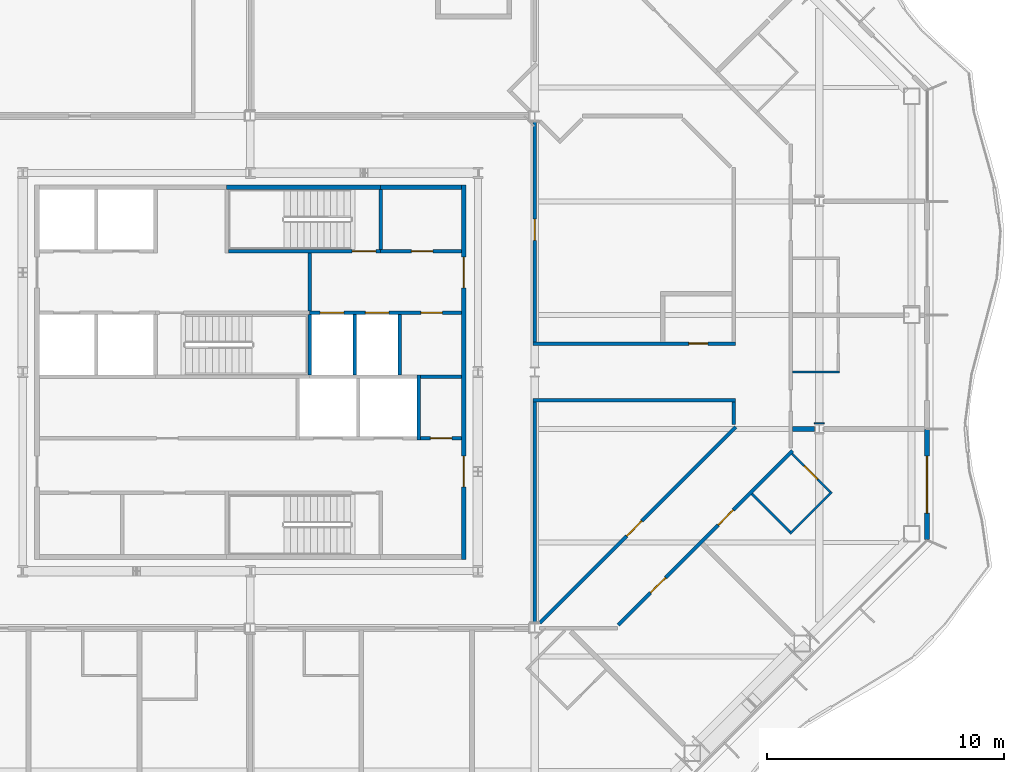
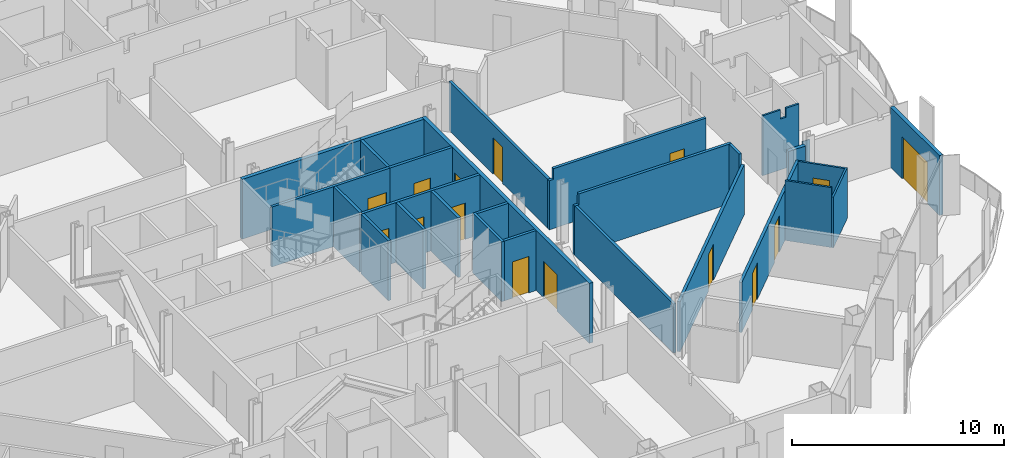
# One storey, part 10 of 21: 28 walls, 15 doors, 15 openings.
"""IFC4 building model written with IfcOpenShell, lengths in metres."""

from ifc_helpers import new_model, si_unit, direction, frame, frame_2d, origin, place, context, subcontext, project, spatial, polyline, rectangle, outline, extrude, material, layer, layer_set, type_object, element, fill, save


model = new_model("IFC4")

# Units and contexts
model_context = context("Model", 3, precision=1e-05, world=origin(), true_north=direction((0.0, 1.0)))
body_context = subcontext(model_context, "Body", "Model", "MODEL_VIEW")
ifc_project = project(units=[si_unit("LENGTHUNIT", "METRE"), si_unit("AREAUNIT", "SQUARE_METRE"), si_unit("VOLUMEUNIT", "CUBIC_METRE"), si_unit("PLANEANGLEUNIT", "RADIAN"), si_unit("MASSUNIT", "GRAM", prefix="KILO")], contexts=[model_context])

# Site, building, storey
site_placement = place(None, origin())
site = spatial("IfcSite", under=ifc_project, at=site_placement, CompositionType="ELEMENT")
building_placement = place(site_placement, origin())
building = spatial("IfcBuilding", under=site, at=building_placement, Name="Cairn Pilgrim Tower", CompositionType="ELEMENT")
storey_placement = place(building_placement, frame((0.0, 0.0, 143.39990234375)))
storey = spatial("IfcBuildingStorey", under=building, at=storey_placement, Name="L35", CompositionType="ELEMENT", Elevation=143.39990234375)

# Wall, opening, door
ifc_material_1 = material(Name="Bronze anodised aluminium insulated sandwich panel with mineral wool fill", Category="aluminium")
ifc_layer_1 = layer(ifc_material_1, 0.199951171875)
ifc_layer_set_1 = layer_set([ifc_layer_1], Name="BRONZE INFILL FRAME WALL 200")
wall_type_1 = type_object("IfcWallType", Name="BRONZE INFILL FRAME WALL 200", PredefinedType="NOTDEFINED", material=ifc_layer_set_1)
wall_1_placement = place(storey_placement, frame((35.75, -4.656494140625, 0.0), z_axis=(0.0, 0.0, 1.0), x_axis=(0.0, 1.0, 0.0)))
wall_1 = element("IfcWall", 1, at=wall_1_placement, inside=storey, type_object=wall_type_1, Name="Bronze infill frame wall IW-E1", PredefinedType="NOTDEFINED", context=body_context, shape_type="SweptSolid", body=[
    extrude(rectangle(XDim=4.62646484375, YDim=0.199951171875, at=frame_2d((2.313232421875, 0.0))), origin(), (0.0, 0.0, 1.0), 3.4501953125),
])
opening_1_placement = place(wall_1_placement, frame((1.1083984375, 0.0, 0.0)))
opening_1 = element("IfcOpeningElement", 2, at=opening_1_placement, cuts=wall_1, Name="Opening 3505B", PredefinedType="OPENING", context=body_context, shape_type="SweptSolid", body=[
    extrude(rectangle(XDim=2.39990234375, YDim=2.39990234375, at=frame_2d((1.199951171875, 1.199951171875))), frame((0.0, 0.10986328125, 0.0), z_axis=(0.0, -1.0, 0.0), x_axis=(1.0, 0.0, 0.0)), (0.0, 0.0, 1.0), 0.219970703125),
])
ifc_material_2 = material(Name="Bronze anodised aluminium frame with tinted low-E glass", Category="aluminium")
door_type_1 = type_object("IfcDoorType", Name="BALCONY SLIDING DOOR 2400x2400", OperationType="DOUBLE_DOOR_SLIDING", PredefinedType="DOOR", material=ifc_material_2)
door_1_placement = place(opening_1_placement, origin())
door_1 = element("IfcDoor", 3, at=door_1_placement, inside=storey, type_object=door_type_1, Name="Balcony sliding door 3505B", OperationType="SINGLE_SWING_LEFT", OverallHeight=2.39990234375, OverallWidth=2.39990234375, PredefinedType="DOOR", context=body_context, shape_type="SweptSolid", body=[
    extrude(rectangle(XDim=2.39990234375, YDim=2.39990234375, at=frame_2d((1.199951171875, 1.199951171875))), frame((0.0, 0.02490234375, 0.0), z_axis=(0.0, -1.0, 0.0), x_axis=(1.0, 0.0, 0.0)), (0.0, 0.0, 1.0), 0.050048828125),
])
fill(opening_1, door_1)

# Wall
ifc_material_3 = material(Name="Concrete C32/40", Category="concrete")
ifc_layer_2 = layer(ifc_material_3, 0.199951171875)
ifc_layer_set_2 = layer_set([ifc_layer_2], Name="CORE OUTER WALL 200 EI 120")
wall_type_2 = type_object("IfcWallType", Name="CORE OUTER WALL 200 EI 120", PredefinedType="SOLIDWALL", material=ifc_layer_set_2)
wall_2_placement = place(storey_placement, frame((12.699951171875, 10.199951171875, 0.0), z_axis=(0.0, 0.0, 1.0), x_axis=(1.0, 0.0, 0.0)))
element("IfcWall", 4, at=wall_2_placement, inside=storey, type_object=wall_type_2, Name="CW:L35:H12-3", PredefinedType="SOLIDWALL", context=body_context, shape_type="SweptSolid", body=[
    extrude(rectangle(XDim=3.400146484375, YDim=0.199951171875, at=frame_2d((1.7001953125, 0.0))), origin(), (0.0, 0.0, 1.0), 3.4501953125),
])

# Wall, openings, doors
wall_3_placement = place(storey_placement, frame((16.199951171875, -5.5, 0.0), z_axis=(0.0, 0.0, 1.0), x_axis=(0.0, 1.0, 0.0)))
wall_3 = element("IfcWall", 5, at=wall_3_placement, inside=storey, type_object=wall_type_2, Name="CW:L35:V30", PredefinedType="SOLIDWALL", context=body_context, shape_type="SweptSolid", body=[
    extrude(rectangle(XDim=15.800048828125, YDim=0.199951171875, at=frame_2d((7.89990234375, 0.0))), origin(), (0.0, 0.0, 1.0), 3.4501953125),
])
opening_2_placement = place(wall_3_placement, frame((3.050048828125, 0.0, 0.0)))
opening_2 = element("IfcOpeningElement", 6, at=opening_2_placement, cuts=wall_3, Name="Opening CD-E1", PredefinedType="OPENING", context=body_context, shape_type="SweptSolid", body=[
    extrude(rectangle(XDim=1.300048828125, YDim=2.10009765625, at=frame_2d((0.64990234375, 1.050048828125))), frame((0.0, 0.10986328125, 0.0), z_axis=(0.0, -1.0, 0.0), x_axis=(1.0, 0.0, 0.0)), (0.0, 0.0, 1.0), 0.219970703125),
])
opening_3_placement = place(wall_3_placement, frame((11.449951171875, 0.0, 0.0)))
opening_3 = element("IfcOpeningElement", 7, at=opening_3_placement, cuts=wall_3, Name="Opening CD-E2", PredefinedType="OPENING", context=body_context, shape_type="SweptSolid", body=[
    extrude(rectangle(XDim=1.300048828125, YDim=2.10009765625, at=frame_2d((0.64990234375, 1.050048828125))), frame((0.0, 0.10986328125, 0.0), z_axis=(0.0, -1.0, 0.0), x_axis=(1.0, 0.0, 0.0)), (0.0, 0.0, 1.0), 0.219970703125),
])
ifc_material_4 = material(Name="Painted steel", Category="steel")
door_type_2 = type_object("IfcDoorType", Name="CORE LOBBY DOOR 1300x2100", OperationType="DOUBLE_DOOR_SINGLE_SWING", PredefinedType="DOOR", material=ifc_material_4)
door_2_placement = place(opening_2_placement, origin())
door_2 = element("IfcDoor", 8, at=door_2_placement, inside=storey, type_object=door_type_2, Name="CD-E1", OperationType="DOUBLE_DOOR_SINGLE_SWING", OverallHeight=2.10009765625, OverallWidth=1.300048828125, PredefinedType="DOOR", context=body_context, shape_type="SweptSolid", body=[
    extrude(rectangle(XDim=1.300048828125, YDim=2.10009765625, at=frame_2d((0.64990234375, 1.050048828125))), frame((0.0, 0.02490234375, 0.0), z_axis=(0.0, -1.0, 0.0), x_axis=(1.0, 0.0, 0.0)), (0.0, 0.0, 1.0), 0.050048828125),
])
fill(opening_2, door_2)
door_3_placement = place(opening_3_placement, origin())
door_3 = element("IfcDoor", 9, at=door_3_placement, inside=storey, type_object=door_type_2, Name="CD-E2", OperationType="DOUBLE_DOOR_SINGLE_SWING", OverallHeight=2.10009765625, OverallWidth=1.300048828125, PredefinedType="DOOR", context=body_context, shape_type="SweptSolid", body=[
    extrude(rectangle(XDim=1.300048828125, YDim=2.10009765625, at=frame_2d((0.64990234375, 1.050048828125))), frame((0.0, 0.02490234375, 0.0), z_axis=(0.0, -1.0, 0.0), x_axis=(1.0, 0.0, 0.0)), (0.0, 0.0, 1.0), 0.050048828125),
])
fill(opening_3, door_3)

# Wall, opening, door
ifc_layer_3 = layer(ifc_material_3, 0.14990234375)
ifc_layer_set_3 = layer_set([ifc_layer_3], Name="CORE PARTITION 150 EI 60")
wall_type_3 = type_object("IfcWallType", Name="CORE PARTITION 150 EI 60", PredefinedType="PARTITIONING", material=ifc_layer_set_3)
wall_4_placement = place(storey_placement, frame((14.375, -0.39990234375, 0.0), z_axis=(0.0, 0.0, 1.0), x_axis=(1.0, 0.0, 0.0)))
wall_4 = element("IfcWall", 10, at=wall_4_placement, inside=storey, type_object=wall_type_3, Name="CW:L35:H06", PredefinedType="PARTITIONING", context=body_context, shape_type="SweptSolid", body=[
    extrude(rectangle(XDim=1.72509765625, YDim=0.14990234375, at=frame_2d((0.862548828125, 0.0))), origin(), (0.0, 0.0, 1.0), 3.4501953125),
])
opening_4_placement = place(wall_4_placement, frame((0.425048828125, 0.0, 0.0)))
opening_4 = element("IfcOpeningElement", 11, at=opening_4_placement, cuts=wall_4, Name="Opening RD-R2E", PredefinedType="OPENING", context=body_context, shape_type="SweptSolid", body=[
    extrude(rectangle(XDim=0.89990234375, YDim=2.10009765625, at=frame_2d((0.449951171875, 1.050048828125))), frame((0.0, 0.0849609375, 0.0), z_axis=(0.0, -1.0, 0.0), x_axis=(1.0, 0.0, 0.0)), (0.0, 0.0, 1.0), 0.169921875),
])
door_type_3 = type_object("IfcDoorType", Name="SERVICE ROOM DOOR 900x2100", OperationType="SINGLE_SWING_LEFT", PredefinedType="DOOR", material=ifc_material_4)
door_4_placement = place(opening_4_placement, origin())
door_4 = element("IfcDoor", 12, at=door_4_placement, inside=storey, type_object=door_type_3, Name="RD-R2E", OperationType="SINGLE_SWING_LEFT", OverallHeight=2.10009765625, OverallWidth=0.89990234375, PredefinedType="DOOR", context=body_context, shape_type="SweptSolid", body=[
    extrude(rectangle(XDim=0.89990234375, YDim=2.10009765625, at=frame_2d((0.449951171875, 1.050048828125))), frame((0.0, 0.02490234375, 0.0), z_axis=(0.0, -1.0, 0.0), x_axis=(1.0, 0.0, 0.0)), (0.0, 0.0, 1.0), 0.050048828125),
])
fill(opening_4, door_4)

# Wall
wall_5_placement = place(storey_placement, frame((14.375, 2.199951171875, 0.0), z_axis=(0.0, 0.0, 1.0), x_axis=(1.0, 0.0, 0.0)))
element("IfcWall", 13, at=wall_5_placement, inside=storey, type_object=wall_type_3, Name="CW:L35:H08", PredefinedType="PARTITIONING", context=body_context, shape_type="SweptSolid", body=[
    extrude(rectangle(XDim=1.72509765625, YDim=0.14990234375, at=frame_2d((0.862548828125, 0.0))), origin(), (0.0, 0.0, 1.0), 3.4501953125),
])

# Wall, openings, doors
ifc_layer_4 = layer(ifc_material_3, 0.14990234375)
ifc_layer_set_4 = layer_set([ifc_layer_4], Name="CORE SHAFT WALL 150 EI 120")
wall_type_4 = type_object("IfcWallType", Name="CORE SHAFT WALL 150 EI 120", PredefinedType="SOLIDWALL", material=ifc_layer_set_4)
wall_6_placement = place(storey_placement, frame((9.699951171875, 4.89990234375, 0.0), z_axis=(0.0, 0.0, 1.0), x_axis=(1.0, 0.0, 0.0)))
wall_6 = element("IfcWall", 14, at=wall_6_placement, inside=storey, type_object=wall_type_4, Name="CW:L35:H09-3", PredefinedType="SOLIDWALL", context=body_context, shape_type="SweptSolid", body=[
    extrude(rectangle(XDim=6.400146484375, YDim=0.14990234375, at=frame_2d((3.2001953125, 0.0))), origin(), (0.0, 0.0, 1.0), 3.4501953125),
])
opening_5_placement = place(wall_6_placement, frame((0.449951171875, 0.0, 0.0)))
opening_5 = element("IfcOpeningElement", 15, at=opening_5_placement, cuts=wall_6, Name="Opening LD-FF1", PredefinedType="OPENING", context=body_context, shape_type="SweptSolid", body=[
    extrude(rectangle(XDim=1.0, YDim=2.10009765625, at=frame_2d((0.5, 1.050048828125))), frame((0.0, 0.0849609375, 0.0), z_axis=(0.0, -1.0, 0.0), x_axis=(1.0, 0.0, 0.0)), (0.0, 0.0, 1.0), 0.169921875),
])
opening_6_placement = place(wall_6_placement, frame((2.35009765625, 0.0, 0.0)))
opening_6 = element("IfcOpeningElement", 16, at=opening_6_placement, cuts=wall_6, Name="Opening LD-FF2", PredefinedType="OPENING", context=body_context, shape_type="SweptSolid", body=[
    extrude(rectangle(XDim=1.0, YDim=2.10009765625, at=frame_2d((0.5, 1.050048828125))), frame((0.0, 0.0849609375, 0.0), z_axis=(0.0, -1.0, 0.0), x_axis=(1.0, 0.0, 0.0)), (0.0, 0.0, 1.0), 0.169921875),
])
opening_7_placement = place(wall_6_placement, frame((4.699951171875, 0.0, 0.0)))
opening_7 = element("IfcOpeningElement", 17, at=opening_7_placement, cuts=wall_6, Name="Opening RD-R3E", PredefinedType="OPENING", context=body_context, shape_type="SweptSolid", body=[
    extrude(rectangle(XDim=0.89990234375, YDim=2.10009765625, at=frame_2d((0.449951171875, 1.050048828125))), frame((0.0, 0.0849609375, 0.0), z_axis=(0.0, -1.0, 0.0), x_axis=(1.0, 0.0, 0.0)), (0.0, 0.0, 1.0), 0.169921875),
])
ifc_material_5 = material(Name="Stainless steel", Category="steel")
door_type_4 = type_object("IfcDoorType", Name="LIFT LANDING DOOR FIRE 1000x2100", OperationType="DOUBLE_DOOR_SLIDING", PredefinedType="DOOR", material=ifc_material_5)
door_5_placement = place(opening_5_placement, origin())
door_5 = element("IfcDoor", 18, at=door_5_placement, inside=storey, type_object=door_type_4, Name="LANDING DOOR FF1", OperationType="DOUBLE_DOOR_SLIDING", OverallHeight=2.10009765625, OverallWidth=1.0, PredefinedType="DOOR", context=body_context, shape_type="SweptSolid", body=[
    extrude(rectangle(XDim=1.0, YDim=2.10009765625, at=frame_2d((0.5, 1.050048828125))), frame((0.0, 0.02490234375, 0.0), z_axis=(0.0, -1.0, 0.0), x_axis=(1.0, 0.0, 0.0)), (0.0, 0.0, 1.0), 0.050048828125),
])
fill(opening_5, door_5)
door_6_placement = place(opening_6_placement, origin())
door_6 = element("IfcDoor", 19, at=door_6_placement, inside=storey, type_object=door_type_4, Name="LANDING DOOR FF2", OperationType="DOUBLE_DOOR_SLIDING", OverallHeight=2.10009765625, OverallWidth=1.0, PredefinedType="DOOR", context=body_context, shape_type="SweptSolid", body=[
    extrude(rectangle(XDim=1.0, YDim=2.10009765625, at=frame_2d((0.5, 1.050048828125))), frame((0.0, 0.02490234375, 0.0), z_axis=(0.0, -1.0, 0.0), x_axis=(1.0, 0.0, 0.0)), (0.0, 0.0, 1.0), 0.050048828125),
])
fill(opening_6, door_6)
door_7_placement = place(opening_7_placement, origin())
door_7 = element("IfcDoor", 20, at=door_7_placement, inside=storey, type_object=door_type_3, Name="RD-R3E", OperationType="SINGLE_SWING_RIGHT", OverallHeight=2.10009765625, OverallWidth=0.89990234375, PredefinedType="DOOR", context=body_context, shape_type="SweptSolid", body=[
    extrude(rectangle(XDim=0.89990234375, YDim=2.10009765625, at=frame_2d((0.449951171875, 1.050048828125))), frame((0.0, 0.02490234375, 0.0), z_axis=(0.0, -1.0, 0.0), x_axis=(1.0, 0.0, 0.0)), (0.0, 0.0, 1.0), 0.050048828125),
])
fill(opening_7, door_7)

# Wall, opening, door
wall_7_placement = place(storey_placement, frame((12.699951171875, 7.5, 0.0), z_axis=(0.0, 0.0, 1.0), x_axis=(1.0, 0.0, 0.0)))
wall_7 = element("IfcWall", 21, at=wall_7_placement, inside=storey, type_object=wall_type_4, Name="CW:L35:H11-2", PredefinedType="SOLIDWALL", context=body_context, shape_type="SweptSolid", body=[
    extrude(rectangle(XDim=3.400146484375, YDim=0.14990234375, at=frame_2d((1.7001953125, 0.0))), origin(), (0.0, 0.0, 1.0), 3.4501953125),
])
opening_8_placement = place(wall_7_placement, frame((1.300048828125, 0.0, 0.0)))
opening_8 = element("IfcOpeningElement", 22, at=opening_8_placement, cuts=wall_7, Name="Opening RD-R4E", PredefinedType="OPENING", context=body_context, shape_type="SweptSolid", body=[
    extrude(rectangle(XDim=0.89990234375, YDim=2.10009765625, at=frame_2d((0.449951171875, 1.050048828125))), frame((0.0, 0.0849609375, 0.0), z_axis=(0.0, -1.0, 0.0), x_axis=(1.0, 0.0, 0.0)), (0.0, 0.0, 1.0), 0.169921875),
])
door_8_placement = place(opening_8_placement, origin())
door_8 = element("IfcDoor", 23, at=door_8_placement, inside=storey, type_object=door_type_3, Name="RD-R4E", OperationType="SINGLE_SWING_LEFT", OverallHeight=2.10009765625, OverallWidth=0.89990234375, PredefinedType="DOOR", context=body_context, shape_type="SweptSolid", body=[
    extrude(rectangle(XDim=0.89990234375, YDim=2.10009765625, at=frame_2d((0.449951171875, 1.050048828125))), frame((0.0, 0.02490234375, 0.0), z_axis=(0.0, -1.0, 0.0), x_axis=(1.0, 0.0, 0.0)), (0.0, 0.0, 1.0), 0.050048828125),
])
fill(opening_8, door_8)

# Walls
wall_8_placement = place(storey_placement, frame((9.699951171875, 4.97509765625, 0.0), z_axis=(0.0, 0.0, 1.0), x_axis=(0.0, 1.0, 0.0)))
element("IfcWall", 24, at=wall_8_placement, inside=storey, type_object=wall_type_4, Name="CW:L35:V23", PredefinedType="SOLIDWALL", context=body_context, shape_type="SweptSolid", body=[
    extrude(rectangle(XDim=2.449951171875, YDim=0.14990234375, at=frame_2d((1.22509765625, 0.0))), origin(), (0.0, 0.0, 1.0), 3.4501953125),
])
for number, where, z_axis, x_axis, name in (
    (25, (11.60009765625, 2.27490234375, 0.0), (0.0, 0.0, 1.0), (0.0, 1.0, 0.0), "CW:L35:V24"),
    (26, (13.5, 2.27490234375, 0.0), (0.0, 0.0, 1.0), (0.0, 1.0, 0.0), "CW:L35:V28"),
):
    element("IfcWall", number, at=place(storey_placement, frame(where, z_axis=z_axis, x_axis=x_axis)), inside=storey, type_object=wall_type_4, Name=name, PredefinedType="SOLIDWALL", context=body_context, shape_type="SweptSolid", body=[
        extrude(rectangle(XDim=2.550048828125, YDim=0.14990234375, at=frame_2d((1.27490234375, 0.0))), origin(), (0.0, 0.0, 1.0), 3.4501953125),
    ])
wall_9_placement = place(storey_placement, frame((14.300048828125, -0.47509765625, 0.0), z_axis=(0.0, 0.0, 1.0), x_axis=(0.0, 1.0, 0.0)))
element("IfcWall", 27, at=wall_9_placement, inside=storey, type_object=wall_type_4, Name="CW:L35:V29", PredefinedType="SOLIDWALL", context=body_context, shape_type="SweptSolid", body=[
    extrude(rectangle(XDim=2.75, YDim=0.14990234375, at=frame_2d((1.375, 0.0))), origin(), (0.0, 0.0, 1.0), 3.4501953125),
])
ifc_material_6 = material(Name="Gypsum partition")
ifc_layer_5 = layer(ifc_material_6, 0.10009765625)
ifc_layer_set_5 = layer_set([ifc_layer_5], Name="PARTITION 100 DRYWALL")
wall_type_5 = type_object("IfcWallType", Name="PARTITION 100 DRYWALL", PredefinedType="PARTITIONING", material=ifc_layer_set_5)
wall_10_placement = place(storey_placement, frame((29.964599609375, -4.3525390625, 0.0), z_axis=(0.0, 0.0, 1.0), x_axis=(-0.707106781187, 0.707106781187, 0.0)))
element("IfcWall", 28, at=wall_10_placement, inside=storey, type_object=wall_type_5, Name="PARTITION W037", PredefinedType="PARTITIONING", context=body_context, shape_type="SweptSolid", body=[
    extrude(rectangle(XDim=2.27490234375, YDim=0.10009765625, at=frame_2d((1.137451171875, 0.0))), origin(), (0.0, 0.0, 1.0), 3.4501953125),
])
wall_11_placement = place(storey_placement, frame((29.964599609375, -4.42333984375, 0.0), z_axis=(0.0, 0.0, 1.0), x_axis=(0.707155609469, 0.707057949532, 0.0)))
element("IfcWall", 29, at=wall_11_placement, inside=storey, type_object=wall_type_5, Name="PARTITION W038", PredefinedType="PARTITIONING", context=body_context, shape_type="SweptSolid", body=[
    extrude(rectangle(XDim=2.5, YDim=0.10009765625, at=frame_2d((1.25, 0.0))), origin(), (0.0, 0.0, 1.0), 2.93017578125),
])

# Wall, opening, door
wall_12_placement = place(storey_placement, frame((31.66162109375, -2.655517578125, 0.0), z_axis=(0.0, 0.0, 1.0), x_axis=(-0.707160441348, 0.707053116953, 0.0)))
wall_12 = element("IfcWall", 30, at=wall_12_placement, inside=storey, type_object=wall_type_5, Name="PARTITION W040", PredefinedType="PARTITIONING", context=body_context, shape_type="SweptSolid", body=[
    extrude(rectangle(XDim=2.27490234375, YDim=0.10009765625, at=frame_2d((1.137451171875, 0.0))), origin(), (0.0, 0.0, 1.0), 2.93017578125),
])
opening_9_placement = place(wall_12_placement, frame((0.75, 0.0, 0.0)))
opening_9 = element("IfcOpeningElement", 31, at=opening_9_placement, cuts=wall_12, Name="Opening 3505A", PredefinedType="OPENING", context=body_context, shape_type="SweptSolid", body=[
    extrude(rectangle(XDim=0.800048828125, YDim=2.10009765625, at=frame_2d((0.39990234375, 1.050048828125))), frame((0.0, 0.06005859375, 0.0), z_axis=(0.0, -1.0, 0.0), x_axis=(1.0, 0.0, 0.0)), (0.0, 0.0, 1.0), 0.1201171875),
])
ifc_material_7 = material(Name="Timber door leaf", Category="wood")
door_type_5 = type_object("IfcDoorType", Name="WC DOOR 800x2100", OperationType="NOTDEFINED", PredefinedType="DOOR", material=ifc_material_7)
door_9_placement = place(opening_9_placement, frame((0.800048828125, 0.0, 0.0), z_axis=(0.0, 0.0, 1.0), x_axis=(-1.0, 0.0, 0.0)))
door_9 = element("IfcDoor", 32, at=door_9_placement, inside=storey, type_object=door_type_5, Name="DOOR 3505A", OperationType="SINGLE_SWING_LEFT", OverallHeight=2.10009765625, OverallWidth=0.800048828125, PredefinedType="DOOR", context=body_context, shape_type="SweptSolid", body=[
    extrude(rectangle(XDim=0.800048828125, YDim=2.10009765625, at=frame_2d((0.39990234375, 1.050048828125))), frame((0.0, 0.02490234375, 0.0), z_axis=(0.0, -1.0, 0.0), x_axis=(1.0, 0.0, 0.0)), (0.0, 0.0, 1.0), 0.050048828125),
])
fill(opening_9, door_9)

# Wall
wall_13_placement = place(storey_placement, frame((30.074951171875, 2.39990234375, 0.0), z_axis=(0.0, 0.0, 1.0), x_axis=(1.0, 0.0, 0.0)))
element("IfcWall", 33, at=wall_13_placement, inside=storey, type_object=wall_type_5, Name="PARTITION W049", PredefinedType="PARTITIONING", context=body_context, shape_type="SweptSolid", body=[
    extrude(outline(polyline([(0.0, 0.0), (1.97509765625, 0.0), (1.97509765625, 3.4501953125), (1.27490234375, 3.4501953125), (1.27294921875, 2.93017578125), (0.97509765625, 2.93017578125), (0.972900390625, 3.4501953125), (0.0, 3.4501953125), (0.0, 0.0)])), frame((0.0, 0.050048828125, 0.0), z_axis=(0.0, -1.0, 0.0), x_axis=(1.0, 0.0, 0.0)), (0.0, 0.0, 1.0), 0.10009765625),
])

# Wall, openings, doors
ifc_layer_6 = layer(ifc_material_6, 0.14990234375)
ifc_layer_set_6 = layer_set([ifc_layer_6], Name="PARTITION 150 DRYWALL EI 60")
wall_type_6 = type_object("IfcWallType", Name="PARTITION 150 DRYWALL EI 60", PredefinedType="PARTITIONING", material=ifc_layer_set_6)
wall_14_placement = place(storey_placement, frame((22.721923828125, -8.27197265625, 0.0), z_axis=(0.0, 0.0, 1.0), x_axis=(0.707106781187, 0.707106781187, 0.0)))
wall_14 = element("IfcWall", 34, at=wall_14_placement, inside=storey, type_object=wall_type_6, Name="PARTITION W030", PredefinedType="PARTITIONING", context=body_context, shape_type="SweptSolid", body=[
    extrude(rectangle(XDim=10.398681640625, YDim=0.14990234375, at=frame_2d((5.19921875, 0.0))), origin(), (0.0, 0.0, 1.0), 2.880126953125),
])
opening_10_placement = place(wall_14_placement, frame((1.92529296875, 0.0, 0.0)))
opening_10 = element("IfcOpeningElement", 35, at=opening_10_placement, cuts=wall_14, Name="Opening 3504", PredefinedType="OPENING", context=body_context, shape_type="SweptSolid", body=[
    extrude(rectangle(XDim=0.89990234375, YDim=2.10009765625, at=frame_2d((0.449951171875, 1.050048828125))), frame((0.0, 0.0849609375, 0.0), z_axis=(0.0, -1.0, 0.0), x_axis=(1.0, 0.0, 0.0)), (0.0, 0.0, 1.0), 0.169921875),
])
opening_11_placement = place(wall_14_placement, frame((5.962646484375, 0.0, 0.0)))
opening_11 = element("IfcOpeningElement", 36, at=opening_11_placement, cuts=wall_14, Name="Opening 3505", PredefinedType="OPENING", context=body_context, shape_type="SweptSolid", body=[
    extrude(rectangle(XDim=0.89990234375, YDim=2.10009765625, at=frame_2d((0.449951171875, 1.050048828125))), frame((0.0, 0.0849609375, 0.0), z_axis=(0.0, -1.0, 0.0), x_axis=(1.0, 0.0, 0.0)), (0.0, 0.0, 1.0), 0.169921875),
])
door_type_6 = type_object("IfcDoorType", Name="ROOM DOOR 900x2100 FD30S", OperationType="NOTDEFINED", PredefinedType="DOOR", material=ifc_material_7)
door_10_placement = place(opening_11_placement, frame((0.89990234375, 0.0, 0.0), z_axis=(0.0, 0.0, 1.0), x_axis=(-1.0, 0.0, 0.0)))
door_10 = element("IfcDoor", 37, at=door_10_placement, inside=storey, type_object=door_type_6, Name="DOOR 3505", OperationType="SINGLE_SWING_LEFT", OverallHeight=2.10009765625, OverallWidth=0.89990234375, PredefinedType="DOOR", context=body_context, shape_type="SweptSolid", body=[
    extrude(rectangle(XDim=0.89990234375, YDim=2.10009765625, at=frame_2d((0.449951171875, 1.050048828125))), frame((0.0, 0.02490234375, 0.0), z_axis=(0.0, -1.0, 0.0), x_axis=(1.0, 0.0, 0.0)), (0.0, 0.0, 1.0), 0.050048828125),
])
fill(opening_11, door_10)
door_type_7 = type_object("IfcDoorType", Name="SERVICE DOOR 900x2100 FD30S", OperationType="NOTDEFINED", PredefinedType="DOOR", material=ifc_material_7)
door_11_placement = place(opening_10_placement, frame((0.89990234375, 0.0, 0.0), z_axis=(0.0, 0.0, 1.0), x_axis=(-1.0, 0.0, 0.0)))
door_11 = element("IfcDoor", 38, at=door_11_placement, inside=storey, type_object=door_type_7, Name="DOOR 3504", OperationType="SINGLE_SWING_LEFT", OverallHeight=2.10009765625, OverallWidth=0.89990234375, PredefinedType="DOOR", context=body_context, shape_type="SweptSolid", body=[
    extrude(rectangle(XDim=0.89990234375, YDim=2.10009765625, at=frame_2d((0.449951171875, 1.050048828125))), frame((0.0, 0.02490234375, 0.0), z_axis=(0.0, -1.0, 0.0), x_axis=(1.0, 0.0, 0.0)), (0.0, 0.0, 1.0), 0.050048828125),
])
fill(opening_10, door_11)

# Wall
wall_15_placement = place(storey_placement, frame((19.199951171875, -8.1875, 0.0), z_axis=(0.0, 0.0, 1.0), x_axis=(0.0, 1.0, 0.0)))
element("IfcWall", 39, at=wall_15_placement, inside=storey, type_object=wall_type_6, Name="PARTITION W033", PredefinedType="PARTITIONING", context=body_context, shape_type="SweptSolid", body=[
    extrude(rectangle(XDim=9.3125, YDim=0.14990234375, at=frame_2d((4.65625, 0.0))), origin(), (0.0, 0.0, 1.0), 2.830078125),
])

# Wall, opening, door
wall_16_placement = place(storey_placement, frame((19.408447265625, -8.19140625, 0.0), z_axis=(0.0, 0.0, 1.0), x_axis=(0.707117222888, 0.707096339331, 0.0)))
wall_16 = element("IfcWall", 40, at=wall_16_placement, inside=storey, type_object=wall_type_6, Name="PARTITION W034", PredefinedType="PARTITIONING", context=body_context, shape_type="SweptSolid", body=[
    extrude(rectangle(XDim=11.690673828125, YDim=0.14990234375, at=frame_2d((5.84521484375, 0.0))), origin(), (0.0, 0.0, 1.0), 2.880126953125),
])
opening_12_placement = place(wall_16_placement, frame((5.195068359375, 0.0, 0.0)))
opening_12 = element("IfcOpeningElement", 41, at=opening_12_placement, cuts=wall_16, Name="Opening 3525", PredefinedType="OPENING", context=body_context, shape_type="SweptSolid", body=[
    extrude(rectangle(XDim=0.89990234375, YDim=2.10009765625, at=frame_2d((0.449951171875, 1.050048828125))), frame((0.0, 0.0849609375, 0.0), z_axis=(0.0, -1.0, 0.0), x_axis=(1.0, 0.0, 0.0)), (0.0, 0.0, 1.0), 0.169921875),
])
door_12_placement = place(opening_12_placement, origin())
door_12 = element("IfcDoor", 42, at=door_12_placement, inside=storey, type_object=door_type_7, Name="DOOR 3525", OperationType="SINGLE_SWING_LEFT", OverallHeight=2.10009765625, OverallWidth=0.89990234375, PredefinedType="DOOR", context=body_context, shape_type="SweptSolid", body=[
    extrude(rectangle(XDim=0.89990234375, YDim=2.10009765625, at=frame_2d((0.449951171875, 1.050048828125))), frame((0.0, 0.02490234375, 0.0), z_axis=(0.0, -1.0, 0.0), x_axis=(1.0, 0.0, 0.0)), (0.0, 0.0, 1.0), 0.050048828125),
])
fill(opening_12, door_12)

# Walls
wall_17_placement = place(storey_placement, frame((27.60009765625, 0.18115234375, 0.0), z_axis=(0.0, 0.0, 1.0), x_axis=(0.0, 1.0, 0.0)))
element("IfcWall", 43, at=wall_17_placement, inside=storey, type_object=wall_type_6, Name="PARTITION W046", PredefinedType="PARTITIONING", context=body_context, shape_type="SweptSolid", body=[
    extrude(rectangle(XDim=0.94384765625, YDim=0.14990234375, at=frame_2d((0.471923828125, 0.0))), origin(), (0.0, 0.0, 1.0), 3.4501953125),
])
wall_18_placement = place(storey_placement, frame((19.125, 1.199951171875, 0.0), z_axis=(0.0, 0.0, 1.0), x_axis=(1.0, 0.0, 0.0)))
element("IfcWall", 44, at=wall_18_placement, inside=storey, type_object=wall_type_6, Name="PARTITION W048", PredefinedType="PARTITIONING", context=body_context, shape_type="SweptSolid", body=[
    extrude(outline(polyline([(0.0, 0.0), (8.550048828125, 0.0), (8.550048828125, 3.4501953125), (0.22509765625, 3.4501953125), (0.222900390625, 2.830078125), (0.0, 2.830078125), (0.0, 0.0)])), frame((0.0, 0.074951171875, 0.0), z_axis=(0.0, -1.0, 0.0), x_axis=(1.0, 0.0, 0.0)), (0.0, 0.0, 1.0), 0.14990234375),
])

# Wall, opening, door
wall_19_placement = place(storey_placement, frame((19.125, 3.60009765625, 0.0), z_axis=(0.0, 0.0, 1.0), x_axis=(1.0, 0.0, 0.0)))
wall_19 = element("IfcWall", 45, at=wall_19_placement, inside=storey, type_object=wall_type_6, Name="PARTITION W052", PredefinedType="PARTITIONING", context=body_context, shape_type="SweptSolid", body=[
    extrude(outline(polyline([(0.0, 0.0), (8.550048828125, 0.0), (8.550048828125, 3.4501953125), (0.22509765625, 3.4501953125), (0.222900390625, 2.830078125), (0.0, 2.830078125), (0.0, 0.0)])), frame((0.0, 0.074951171875, 0.0), z_axis=(0.0, -1.0, 0.0), x_axis=(1.0, 0.0, 0.0)), (0.0, 0.0, 1.0), 0.14990234375),
])
opening_13_placement = place(wall_19_placement, frame((6.574951171875, 0.0, 0.0)))
opening_13 = element("IfcOpeningElement", 46, at=opening_13_placement, cuts=wall_19, Name="Opening 3524", PredefinedType="OPENING", context=body_context, shape_type="SweptSolid", body=[
    extrude(rectangle(XDim=0.800048828125, YDim=2.10009765625, at=frame_2d((0.39990234375, 1.050048828125))), frame((0.0, 0.0849609375, 0.0), z_axis=(0.0, -1.0, 0.0), x_axis=(1.0, 0.0, 0.0)), (0.0, 0.0, 1.0), 0.169921875),
])
door_type_8 = type_object("IfcDoorType", Name="WC DOOR 800x2100 FD30S", OperationType="NOTDEFINED", PredefinedType="DOOR", material=ifc_material_7)
door_13_placement = place(opening_13_placement, origin())
door_13 = element("IfcDoor", 47, at=door_13_placement, inside=storey, type_object=door_type_8, Name="DOOR 3524", OperationType="SINGLE_SWING_LEFT", OverallHeight=2.10009765625, OverallWidth=0.800048828125, PredefinedType="DOOR", context=body_context, shape_type="SweptSolid", body=[
    extrude(rectangle(XDim=0.800048828125, YDim=2.10009765625, at=frame_2d((0.39990234375, 1.050048828125))), frame((0.0, 0.02490234375, 0.0), z_axis=(0.0, -1.0, 0.0), x_axis=(1.0, 0.0, 0.0)), (0.0, 0.0, 1.0), 0.050048828125),
])
fill(opening_13, door_13)

wall_20_placement = place(storey_placement, frame((19.199951171875, 3.675048828125, 0.0), z_axis=(0.0, 0.0, 1.0), x_axis=(0.0, 1.0, 0.0)))
wall_20 = element("IfcWall", 48, at=wall_20_placement, inside=storey, type_object=wall_type_6, Name="PARTITION W055", PredefinedType="PARTITIONING", context=body_context, shape_type="SweptSolid", body=[
    extrude(rectangle(XDim=9.3125, YDim=0.14990234375, at=frame_2d((4.65625, 0.0))), origin(), (0.0, 0.0, 1.0), 2.830078125),
])
opening_14_placement = place(wall_20_placement, frame((4.27490234375, 0.0, 0.0)))
opening_14 = element("IfcOpeningElement", 49, at=opening_14_placement, cuts=wall_20, Name="Opening 3526", PredefinedType="OPENING", context=body_context, shape_type="SweptSolid", body=[
    extrude(rectangle(XDim=0.89990234375, YDim=2.10009765625, at=frame_2d((0.449951171875, 1.050048828125))), frame((0.0, 0.0849609375, 0.0), z_axis=(0.0, -1.0, 0.0), x_axis=(1.0, 0.0, 0.0)), (0.0, 0.0, 1.0), 0.169921875),
])
door_14_placement = place(opening_14_placement, frame((0.89990234375, 0.0, 0.0), z_axis=(0.0, 0.0, 1.0), x_axis=(-1.0, 0.0, 0.0)))
door_14 = element("IfcDoor", 50, at=door_14_placement, inside=storey, type_object=door_type_7, Name="DOOR 3526", OperationType="SINGLE_SWING_LEFT", OverallHeight=2.10009765625, OverallWidth=0.89990234375, PredefinedType="DOOR", context=body_context, shape_type="SweptSolid", body=[
    extrude(rectangle(XDim=0.89990234375, YDim=2.10009765625, at=frame_2d((0.449951171875, 1.050048828125))), frame((0.0, 0.02490234375, 0.0), z_axis=(0.0, -1.0, 0.0), x_axis=(1.0, 0.0, 0.0)), (0.0, 0.0, 1.0), 0.050048828125),
])
fill(opening_14, door_14)

# Walls
ifc_layer_7 = layer(ifc_material_6, 0.050048828125)
ifc_layer_set_7 = layer_set([ifc_layer_7], Name="PARTITION 50 DRYWALL EI 60")
wall_type_7 = type_object("IfcWallType", Name="PARTITION 50 DRYWALL EI 60", PredefinedType="PARTITIONING", material=ifc_layer_set_7)
wall_21_placement = place(storey_placement, frame((30.99560546875, 0.237548828125, 0.0), z_axis=(0.0, 0.0, 1.0), x_axis=(1.0, 0.0, 0.0)))
element("IfcWall", 51, at=wall_21_placement, inside=storey, type_object=wall_type_7, Name="COLUMN CASING WC18", PredefinedType="PARTITIONING", context=body_context, shape_type="SweptSolid", body=[
    extrude(rectangle(XDim=0.408935546875, YDim=0.050048828125, at=frame_2d((0.20458984375, 0.0))), origin(), (0.0, 0.0, 1.0), 2.93017578125),
])
ifc_layer_8 = layer(ifc_material_6, 0.199951171875)
ifc_layer_set_8 = layer_set([ifc_layer_8], Name="SHAFT WALL 200 GYPSUM EI 60")
wall_type_8 = type_object("IfcWallType", Name="SHAFT WALL 200 GYPSUM EI 60", PredefinedType="PARTITIONING", material=ifc_layer_set_8)
wall_22_placement = place(storey_placement, frame((30.074951171875, 0.0, 0.0), z_axis=(0.0, 0.0, 1.0), x_axis=(1.0, 0.0, 0.0)))
element("IfcWall", 52, at=wall_22_placement, inside=storey, type_object=wall_type_8, Name="PARTITION W044", PredefinedType="PARTITIONING", context=body_context, shape_type="SweptSolid", body=[
    extrude(rectangle(XDim=0.920654296875, YDim=0.199951171875, at=frame_2d((0.46044921875, 0.0))), origin(), (0.0, 0.0, 1.0), 2.880126953125),
])

# Wall, opening, door
ifc_material_8 = material(Name="Concrete C35/45", Category="concrete")
ifc_layer_9 = layer(ifc_material_8, 0.14990234375)
ifc_layer_set_9 = layer_set([ifc_layer_9], Name="STAIR SHAFT WALL 150 EI 120")
wall_type_9 = type_object("IfcWallType", Name="STAIR SHAFT WALL 150 EI 120", PredefinedType="SOLIDWALL", material=ifc_layer_set_9)
wall_23_placement = place(storey_placement, frame((6.27490234375, 7.5, 0.0), z_axis=(0.0, 0.0, 1.0), x_axis=(1.0, 0.0, 0.0)))
wall_23 = element("IfcWall", 53, at=wall_23_placement, inside=storey, type_object=wall_type_9, Name="CW:L35:H11-1", PredefinedType="SOLIDWALL", context=body_context, shape_type="SweptSolid", body=[
    extrude(rectangle(XDim=6.425048828125, YDim=0.14990234375, at=frame_2d((3.21240234375, 0.0))), origin(), (0.0, 0.0, 1.0), 3.4501953125),
])
opening_15_placement = place(wall_23_placement, frame((5.22509765625, 0.0, 0.0)))
opening_15 = element("IfcOpeningElement", 54, at=opening_15_placement, cuts=wall_23, Name="Opening SD-C", PredefinedType="OPENING", context=body_context, shape_type="SweptSolid", body=[
    extrude(rectangle(XDim=1.0, YDim=2.10009765625, at=frame_2d((0.5, 1.050048828125))), frame((0.0, 0.0849609375, 0.0), z_axis=(0.0, -1.0, 0.0), x_axis=(1.0, 0.0, 0.0)), (0.0, 0.0, 1.0), 0.169921875),
])
door_type_9 = type_object("IfcDoorType", Name="STAIR DOOR FD60S 1000x2100", OperationType="SINGLE_SWING_LEFT", PredefinedType="DOOR", material=ifc_material_4)
door_15_placement = place(opening_15_placement, origin())
door_15 = element("IfcDoor", 55, at=door_15_placement, inside=storey, type_object=door_type_9, Name="SD-C", OperationType="SINGLE_SWING_RIGHT", OverallHeight=2.10009765625, OverallWidth=1.0, PredefinedType="DOOR", context=body_context, shape_type="SweptSolid", body=[
    extrude(rectangle(XDim=1.0, YDim=2.10009765625, at=frame_2d((0.5, 1.050048828125))), frame((0.0, 0.02490234375, 0.0), z_axis=(0.0, -1.0, 0.0), x_axis=(1.0, 0.0, 0.0)), (0.0, 0.0, 1.0), 0.050048828125),
])
fill(opening_15, door_15)

# Walls
wall_24_placement = place(storey_placement, frame((9.699951171875, 2.27490234375, 0.0), z_axis=(0.0, 0.0, 1.0), x_axis=(0.0, 1.0, 0.0)))
element("IfcWall", 56, at=wall_24_placement, inside=storey, type_object=wall_type_9, Name="CW:L35:V22", PredefinedType="SOLIDWALL", context=body_context, shape_type="SweptSolid", body=[
    extrude(rectangle(XDim=2.550048828125, YDim=0.14990234375, at=frame_2d((1.27490234375, 0.0))), origin(), (0.0, 0.0, 1.0), 3.4501953125),
])
wall_25_placement = place(storey_placement, frame((12.699951171875, 7.574951171875, 0.0), z_axis=(0.0, 0.0, 1.0), x_axis=(0.0, 1.0, 0.0)))
element("IfcWall", 57, at=wall_25_placement, inside=storey, type_object=wall_type_9, Name="CW:L35:V27", PredefinedType="SOLIDWALL", context=body_context, shape_type="SweptSolid", body=[
    extrude(rectangle(XDim=2.525146484375, YDim=0.14990234375, at=frame_2d((1.2626953125, 0.0))), origin(), (0.0, 0.0, 1.0), 3.4501953125),
])
ifc_layer_10 = layer(ifc_material_8, 0.199951171875)
ifc_layer_set_10 = layer_set([ifc_layer_10], Name="STAIR SHAFT WALL 200 EI 120")
wall_type_10 = type_object("IfcWallType", Name="STAIR SHAFT WALL 200 EI 120", PredefinedType="SOLIDWALL", material=ifc_layer_set_10)
wall_26_placement = place(storey_placement, frame((6.199951171875, 10.199951171875, 0.0), z_axis=(0.0, 0.0, 1.0), x_axis=(1.0, 0.0, 0.0)))
element("IfcWall", 58, at=wall_26_placement, inside=storey, type_object=wall_type_10, Name="CW:L35:H12-2", PredefinedType="SOLIDWALL", context=body_context, shape_type="SweptSolid", body=[
    extrude(rectangle(XDim=6.5, YDim=0.199951171875, at=frame_2d((3.25, 0.0))), origin(), (0.0, 0.0, 1.0), 3.4501953125),
])

save(model, "model.ifc")
